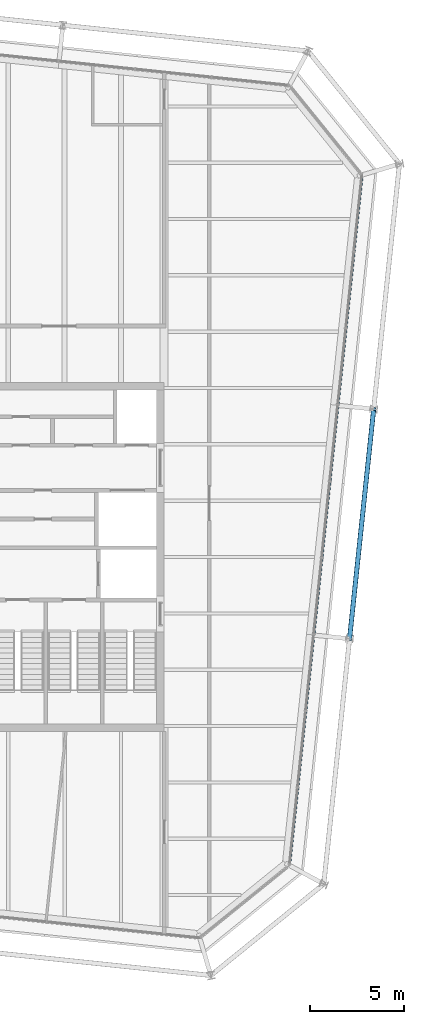
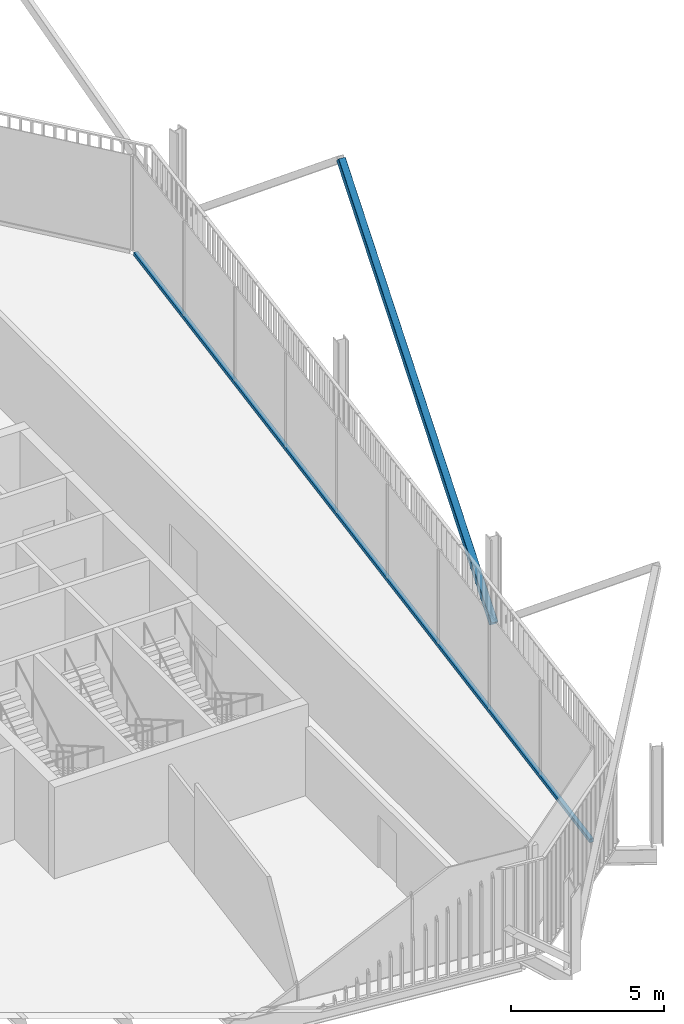
# One storey, part 10 of 21: 2 members, 1 element without a shape of its own.
"""IFC4 building model written with IfcOpenShell, lengths in metres."""

from ifc_helpers import new_model, si_unit, direction, frame, origin, origin_2d, place, context, subcontext, project, spatial, rectangle, hollow_rectangle, extrude, material, layer, layer_set, material_profile, profile_set, type_object, element, aggregate, save


model = new_model("IFC4")

# Units and contexts
model_context = context("Model", 3, precision=1e-05, world=origin(), true_north=direction((0.0, 1.0)))
body_context = subcontext(model_context, "Body", "Model", "MODEL_VIEW")
ifc_project = project(units=[si_unit("LENGTHUNIT", "METRE"), si_unit("AREAUNIT", "SQUARE_METRE"), si_unit("VOLUMEUNIT", "CUBIC_METRE"), si_unit("PLANEANGLEUNIT", "RADIAN"), si_unit("MASSUNIT", "GRAM", prefix="KILO")], contexts=[model_context])

# Site, building, storey
site_placement = place(None, origin())
site = spatial("IfcSite", under=ifc_project, at=site_placement, CompositionType="ELEMENT")
building_placement = place(site_placement, origin())
building = spatial("IfcBuilding", under=site, at=building_placement, Name="Millrace Tower", CompositionType="ELEMENT")
storey_placement = place(building_placement, frame((0.0, 0.0, 307.199951171875)))
storey = spatial("IfcBuildingStorey", under=building, at=storey_placement, Name="L71", CompositionType="ELEMENT", Elevation=307.199951171875)

# Curtain wall, member
ifc_material_1 = material(Name="Aluminium and glass", Category="aluminium")
ifc_layer = layer(ifc_material_1, 0.14990234375)
ifc_layer_set = layer_set([ifc_layer], Name="Aluminium and glass")
curtain_wall_type = type_object("IfcCurtainWallType", Name="CW-1 office vision curtain wall", PredefinedType="NOTDEFINED", material=ifc_layer_set)
curtain_wall_placement = place(storey_placement, origin())
curtain_wall = element("IfcCurtainWall", 1, at=curtain_wall_placement, inside=storey, type_object=curtain_wall_type, Name="Curtain wall E-F04 L71", PredefinedType="NOTDEFINED")
ifc_material_2 = material(Name="Aluminium", Category="aluminium")
ifc_material_profile_1 = material_profile(ifc_material_2, rectangle(XDim=0.14990234375, YDim=0.139892578125, at=origin_2d()))
ifc_profile_set_1 = profile_set([ifc_material_profile_1], Name="Aluminium")
member_type_1 = type_object("IfcMemberType", Name="CW-1 office vision curtain wall transom", PredefinedType="USERDEFINED", material=ifc_profile_set_1)
member_1_placement = place(storey_placement, frame((20.98193359375, -16.285400390625, 0.070068359375), z_axis=(0.104527916025, 0.994521952886, 0.0), x_axis=(-0.994521952886, 0.104527916025, 0.0)))
member_1 = element("IfcMember", 2, at=member_1_placement, type_object=member_type_1, Name="CW1 transom E-F04.1", ObjectType="TRANSOM", PredefinedType="USERDEFINED", context=body_context, shape_type="SweptSolid", body=[
    extrude(rectangle(XDim=0.14990234375, YDim=0.139892578125, at=origin_2d()), origin(), (0.0, 0.0, 1.0), 36.699951171875),
])
aggregate(curtain_wall, [member_1])

# Member
ifc_material_3 = material(Name="Steel ASTM A500 Grade C", Category="steel")
ifc_material_profile_2 = material_profile(ifc_material_3, hollow_rectangle(XDim=0.25390625, YDim=0.25390625, WallThickness=0.009521484375, InnerFilletRadius=0.004638671875, OuterFilletRadius=0.014404296875, at=origin_2d()))
ifc_profile_set_2 = profile_set([ifc_material_profile_2], Name="Steel ASTM A500 Grade C")
member_type_2 = type_object("IfcMemberType", Name="Exoskeleton brace HSS10x10x3/8", PredefinedType="BRACE", material=ifc_profile_set_2)
member_2_placement = place(storey_placement, frame((24.171630859375, -4.353271484375, 0.400146484375), z_axis=(0.078861434964, 0.750336752269, 0.656335000034), x_axis=(-0.994522189618, 0.10452566363, 0.0)))
element("IfcMember", 3, at=member_2_placement, inside=storey, type_object=member_type_2, Name="BRC-E-L71-07", PredefinedType="BRACE", context=body_context, shape_type="SweptSolid", body=[
    extrude(hollow_rectangle(XDim=0.25390625, YDim=0.25390625, WallThickness=0.009521484375, InnerFilletRadius=0.004638671875, OuterFilletRadius=0.014404296875, at=origin_2d()), origin(), (0.0, 0.0, 1.0), 16.302490234375),
])

save(model, "model.ifc")
